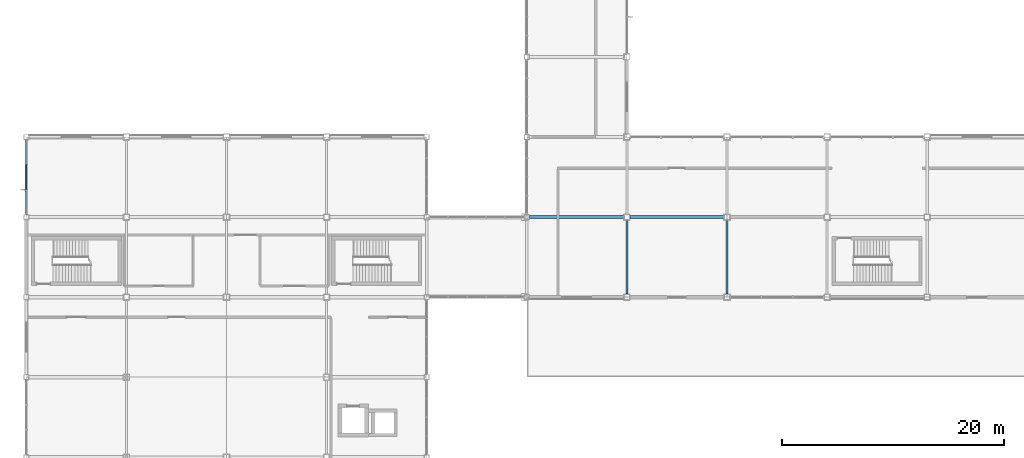
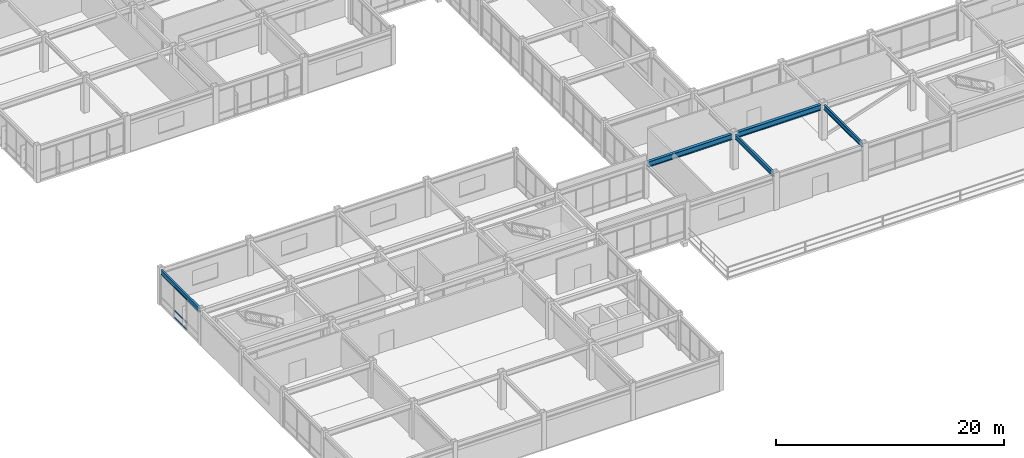
# One storey, part 22 of 122: 5 beams, 3 members, 1 element without a shape of its own.
"""IFC4 building model written with IfcOpenShell, lengths in metres."""

from ifc_helpers import new_model, si_unit, direction, frame, origin, origin_2d, place, context, subcontext, project, spatial, hollow_rectangle, i_section, extrude, material, material_profile, profile_set, type_object, element, aggregate, save


model = new_model("IFC4")

# Units and contexts
model_context = context("Model", 3, precision=1e-05, world=origin(), true_north=direction((0.0, 1.0)))
body_context = subcontext(model_context, "Body", "Model", "MODEL_VIEW")
ifc_project = project(units=[si_unit("LENGTHUNIT", "METRE"), si_unit("AREAUNIT", "SQUARE_METRE"), si_unit("VOLUMEUNIT", "CUBIC_METRE"), si_unit("PLANEANGLEUNIT", "RADIAN"), si_unit("MASSUNIT", "GRAM", prefix="KILO")], contexts=[model_context])

# Site, building, storey
site_placement = place(None, origin())
site = spatial("IfcSite", under=ifc_project, at=site_placement, CompositionType="ELEMENT")
building_placement = place(site_placement, origin())
building = spatial("IfcBuilding", under=site, at=building_placement, Name="Kazanami Central Library", CompositionType="ELEMENT")
storey_placement = place(building_placement, frame((0.0, 0.0, 4.800048828125)))
storey = spatial("IfcBuildingStorey", under=building, at=storey_placement, Name="L02", CompositionType="ELEMENT", Elevation=4.800048828125)

# Beams
ifc_material_1 = material(Name="Steel SN490B (325 MPa)", Category="steel")
ifc_material_profile_1 = material_profile(ifc_material_1, i_section(OverallWidth=0.300048828125, OverallDepth=0.587890625, WebThickness=0.011962890625, FlangeThickness=0.02001953125, at=origin_2d()), Name="H-588x300x12x20")
ifc_profile_set_1 = profile_set([ifc_material_profile_1], Name="Steel SN490B (325 MPa)")
beam_type_1 = type_object("IfcBeamType", Name="BM-G-X2", PredefinedType="BEAM", material=ifc_profile_set_1)
beam_1_placement = place(storey_placement, frame((45.222900390625, 28.800048828125, 3.4609375), z_axis=(1.0, 0.0, 0.0), x_axis=(0.0, 1.0, 0.0)))
element("IfcBeam", 1, at=beam_1_placement, inside=storey, type_object=beam_type_1, Name="Girder G-X2 L02 E/6-7", PredefinedType="BEAM", context=body_context, shape_type="SweptSolid", body=[
    extrude(i_section(OverallWidth=0.300048828125, OverallDepth=0.587890625, WebThickness=0.011962890625, FlangeThickness=0.02001953125, at=origin_2d()), origin(), (0.0, 0.0, 1.0), 8.504150390625),
])
beam_2_placement = place(storey_placement, frame((54.27294921875, 28.800048828125, 3.4609375), z_axis=(1.0, 0.0, 0.0), x_axis=(0.0, 1.0, 0.0)))
element("IfcBeam", 2, at=beam_2_placement, inside=storey, type_object=beam_type_1, Name="Girder G-X2 L02 E/7-8", PredefinedType="BEAM", context=body_context, shape_type="SweptSolid", body=[
    extrude(i_section(OverallWidth=0.300048828125, OverallDepth=0.587890625, WebThickness=0.011962890625, FlangeThickness=0.02001953125, at=origin_2d()), origin(), (0.0, 0.0, 1.0), 8.4541015625),
])
ifc_material_profile_2 = material_profile(ifc_material_1, i_section(OverallWidth=0.199951171875, OverallDepth=0.5, WebThickness=0.010009765625, FlangeThickness=0.01611328125, at=origin_2d()), Name="H-500x200x10x16")
ifc_profile_set_2 = profile_set([ifc_material_profile_2], Name="Steel SN490B (325 MPa)")
beam_type_2 = type_object("IfcBeamType", Name="BM-G-Y2", PredefinedType="BEAM", material=ifc_profile_set_2)
for number, where, z_axis, x_axis, name in (
    (3, (54.0, 21.873046875, 3.5048828125), (0.0, 1.0, 0.0), (-1.0, 0.0, 0.0), "Girder G-Y2 L02 7/D-E"),
    (4, (63.0, 21.873046875, 3.5048828125), (0.0, 1.0, 0.0), (-1.0, 0.0, 0.0), "Girder G-Y2 L02 8/D-E"),
):
    element("IfcBeam", number, at=place(storey_placement, frame(where, z_axis=z_axis, x_axis=x_axis)), inside=storey, type_object=beam_type_2, Name=name, PredefinedType="BEAM", context=body_context, shape_type="SweptSolid", body=[
        extrude(i_section(OverallWidth=0.199951171875, OverallDepth=0.5, WebThickness=0.010009765625, FlangeThickness=0.01611328125, at=origin_2d()), origin(), (0.0, 0.0, 1.0), 6.654052734375),
    ])
ifc_material_profile_3 = material_profile(ifc_material_1, i_section(OverallWidth=0.199951171875, OverallDepth=0.5, WebThickness=0.010009765625, FlangeThickness=0.01611328125, at=origin_2d()), Name="H-500x200x10x16")
ifc_profile_set_3 = profile_set([ifc_material_profile_3], Name="Steel SN490B (325 MPa)")
beam_type_3 = type_object("IfcBeamType", Name="BM-SP-1", PredefinedType="SPANDREL", material=ifc_profile_set_3)
beam_3_placement = place(storey_placement, frame((0.0, 29.02294921875, 3.5048828125), z_axis=(0.0, 1.0, 0.0), x_axis=(-1.0, 0.0, 0.0)))
element("IfcBeam", 5, at=beam_3_placement, inside=storey, type_object=beam_type_3, Name="Girder SP-1 L02 1/E-F", PredefinedType="SPANDREL", context=body_context, shape_type="SweptSolid", body=[
    extrude(i_section(OverallWidth=0.199951171875, OverallDepth=0.5, WebThickness=0.010009765625, FlangeThickness=0.01611328125, at=origin_2d()), origin(), (0.0, 0.0, 1.0), 6.754150390625),
])

# Curtain wall, members
ifc_material_2 = material(Name="Acid-Etched Low-E Laminated Glass", Category="glass")
curtain_wall_type = type_object("IfcCurtainWallType", Name="CW-6750x3255-M225", PredefinedType="USERDEFINED", material=ifc_material_2)
curtain_wall_placement = place(storey_placement, origin())
curtain_wall = element("IfcCurtainWall", 6, at=curtain_wall_placement, inside=storey, type_object=curtain_wall_type, Name="Unitised Curtain Wall CW-20 L02 W-1-04", ObjectType="UNITISED CURTAIN WALL", PredefinedType="USERDEFINED")
ifc_material_3 = material(Name="Anodised Aluminium A6063-T5", Category="aluminium")
ifc_material_profile_4 = material_profile(ifc_material_3, hollow_rectangle(XDim=0.06494140625, YDim=0.139892578125, WallThickness=0.00390625, at=origin_2d()), Name="ALU-TRAN-65x140x4")
ifc_profile_set_4 = profile_set([ifc_material_profile_4], Name="Anodised Aluminium A6063-T5")
member_type = type_object("IfcMemberType", Name="MEM-CW-T2", PredefinedType="USERDEFINED", material=ifc_profile_set_4)
member_1_placement = place(storey_placement, frame((0.0, 31.3076171875, 0.032470703125), z_axis=(0.0, 1.0, 0.0), x_axis=(-1.0, 0.0, 0.0)))
member_1 = element("IfcMember", 7, at=member_1_placement, type_object=member_type, Name="CW-20 transom 2.1", ObjectType="TRANSOM", PredefinedType="USERDEFINED", context=body_context, shape_type="SweptSolid", body=[
    extrude(hollow_rectangle(XDim=0.06494140625, YDim=0.139892578125, WallThickness=0.00390625, at=origin_2d()), origin(), (0.0, 0.0, 1.0), 2.184814453125),
])
member_2_placement = place(storey_placement, frame((0.0, 31.3076171875, 0.780029296875), z_axis=(0.0, 1.0, 0.0), x_axis=(-1.0, 0.0, 0.0)))
member_2 = element("IfcMember", 8, at=member_2_placement, type_object=member_type, Name="CW-20 transom 2.2", ObjectType="TRANSOM", PredefinedType="USERDEFINED", context=body_context, shape_type="SweptSolid", body=[
    extrude(hollow_rectangle(XDim=0.06494140625, YDim=0.139892578125, WallThickness=0.00390625, at=origin_2d()), origin(), (0.0, 0.0, 1.0), 2.184814453125),
])
member_3_placement = place(storey_placement, frame((0.0, 31.3076171875, 3.222412109375), z_axis=(0.0, 1.0, 0.0), x_axis=(-1.0, 0.0, 0.0)))
member_3 = element("IfcMember", 9, at=member_3_placement, type_object=member_type, Name="CW-20 transom 2.3", ObjectType="TRANSOM", PredefinedType="USERDEFINED", context=body_context, shape_type="SweptSolid", body=[
    extrude(hollow_rectangle(XDim=0.06494140625, YDim=0.139892578125, WallThickness=0.00390625, at=origin_2d()), origin(), (0.0, 0.0, 1.0), 2.184814453125),
])
aggregate(curtain_wall, [member_1, member_2, member_3])

save(model, "model.ifc")
